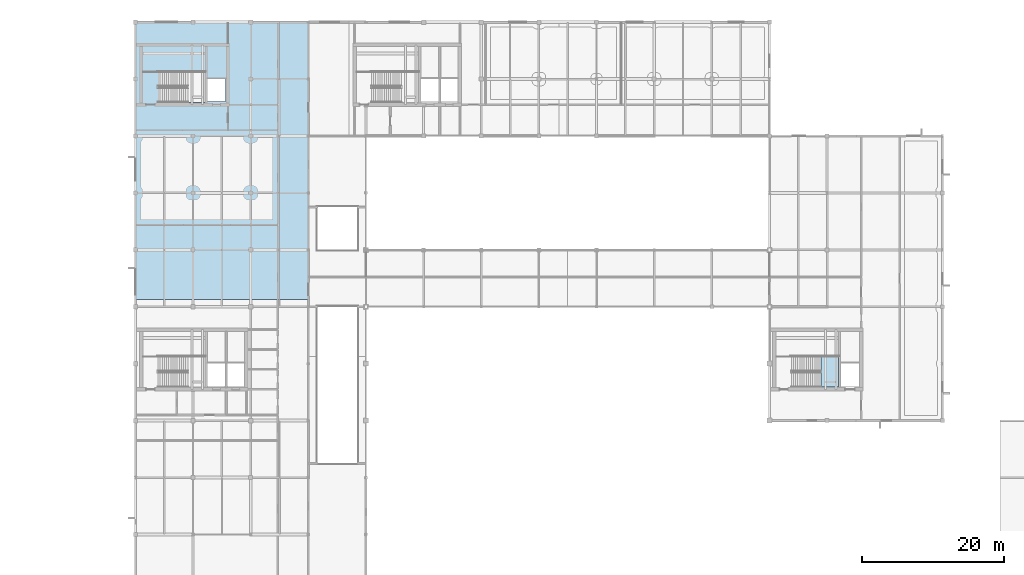
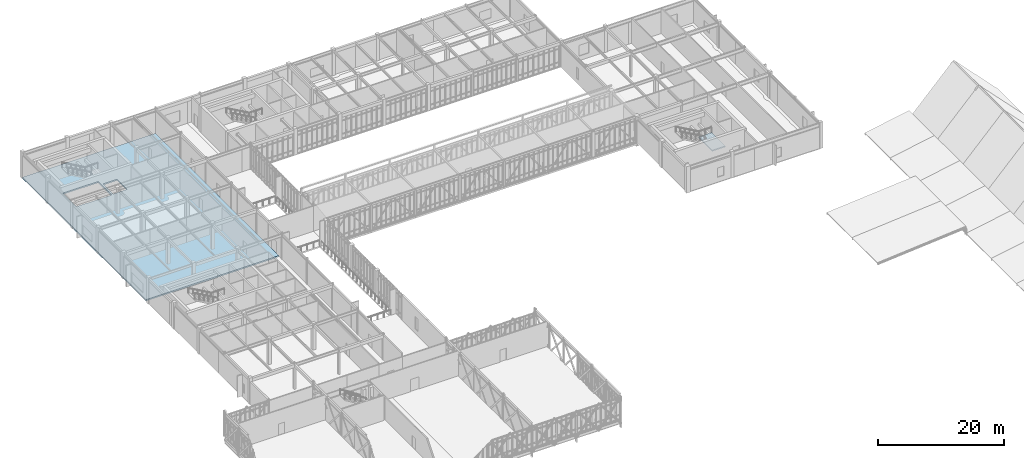
# One storey, part 71 of 107: 2 slabs, 1 element without a shape of its own.
"""IFC4 building model written with IfcOpenShell, lengths in metres."""

from ifc_helpers import new_model, si_unit, direction, frame, origin, place, context, subcontext, project, spatial, polyline, outline, extrude, material, layer, layer_set, type_object, element, aggregate, save


model = new_model("IFC4")

# Units and contexts
model_context = context("Model", 3, precision=1e-05, world=origin(), true_north=direction((0.0, 1.0)))
body_context = subcontext(model_context, "Body", "Model", "MODEL_VIEW")
ifc_project = project(units=[si_unit("LENGTHUNIT", "METRE"), si_unit("AREAUNIT", "SQUARE_METRE"), si_unit("VOLUMEUNIT", "CUBIC_METRE"), si_unit("PLANEANGLEUNIT", "RADIAN"), si_unit("MASSUNIT", "GRAM", prefix="KILO")], contexts=[model_context])

# Site, building, storey
site_placement = place(None, origin())
site = spatial("IfcSite", under=ifc_project, at=site_placement, CompositionType="ELEMENT")
building_placement = place(site_placement, origin())
building = spatial("IfcBuilding", under=site, at=building_placement, Name="Tarnveldt Square Police Headquarters", CompositionType="ELEMENT")
storey_placement = place(building_placement, frame((0.0, 0.0, 14.699951171875)))
storey = spatial("IfcBuildingStorey", under=building, at=storey_placement, Name="L03", CompositionType="ELEMENT", Elevation=14.699951171875)

# Stair, slab
ifc_material = material(Name="Concrete 40 MPa", Category="concrete")
stair_type = type_object("IfcStairType", Name="STR-HT-48B", PredefinedType="HALF_TURN_STAIR", material=ifc_material)
stair_placement = place(storey_placement, origin())
stair = element("IfcStair", 1, at=stair_placement, inside=storey, type_object=stair_type, Name="L03 Core K4 Exit Stair ST4", PredefinedType="HALF_TURN_STAIR")
ifc_layer_1 = layer(ifc_material, 0.179931640625)
ifc_layer_set_1 = layer_set([ifc_layer_1], Name="Concrete 40 MPa")
slab_type_1 = type_object("IfcSlabType", Name="SL-LND-180", PredefinedType="LANDING", material=ifc_layer_set_1)
slab_1_placement = place(storey_placement, frame((0.0, 0.0, 2.35009765625)))
slab_1 = element("IfcSlab", 2, at=slab_1_placement, type_object=slab_type_1, Name="ST4 landing 1", PredefinedType="LANDING", context=body_context, shape_type="SweptSolid", body=[
    extrude(outline(polyline([(112.570068359375, 60.719970703125), (114.969970703125, 60.719970703125), (114.969970703125, 65.02001953125), (112.570068359375, 65.02001953125), (112.570068359375, 60.719970703125)])), origin(), (0.0, 0.0, 1.0), 0.199951171875),
])
aggregate(stair, [slab_1])

# Slab
ifc_layer_2 = layer(ifc_material, 0.260009765625)
ifc_layer_set_2 = layer_set([ifc_layer_2], Name="Concrete 40 MPa")
slab_type_2 = type_object("IfcSlabType", Name="SL-MID-260", PredefinedType="FLOOR", material=ifc_layer_set_2)
slab_2_placement = place(storey_placement, frame((0.0, 0.0, -0.260009765625)))
element("IfcSlab", 3, at=slab_2_placement, inside=storey, type_object=slab_type_2, Name="L03 Structural Floor Slab L03-V5-2", PredefinedType="FLOOR", context=body_context, shape_type="SweptSolid", body=[
    extrude(outline(polyline([(40.5, 73.0), (16.199951171875, 73.0), (16.199951171875, 112.0), (40.5, 112.0), (40.5, 73.0)]), holes=[polyline([(26.330078125, 104.050048828125), (26.330078125, 100.85009765625), (28.8798828125, 100.85009765625), (28.8798828125, 104.050048828125), (26.330078125, 104.050048828125)]), polyline([(19.510009765625, 100.719970703125), (25.969970703125, 100.719970703125), (25.969970703125, 105.02001953125), (19.510009765625, 105.02001953125), (19.510009765625, 100.719970703125)])]), origin(), (0.0, 0.0, 1.0), 0.260009765625),
])

save(model, "model.ifc")
